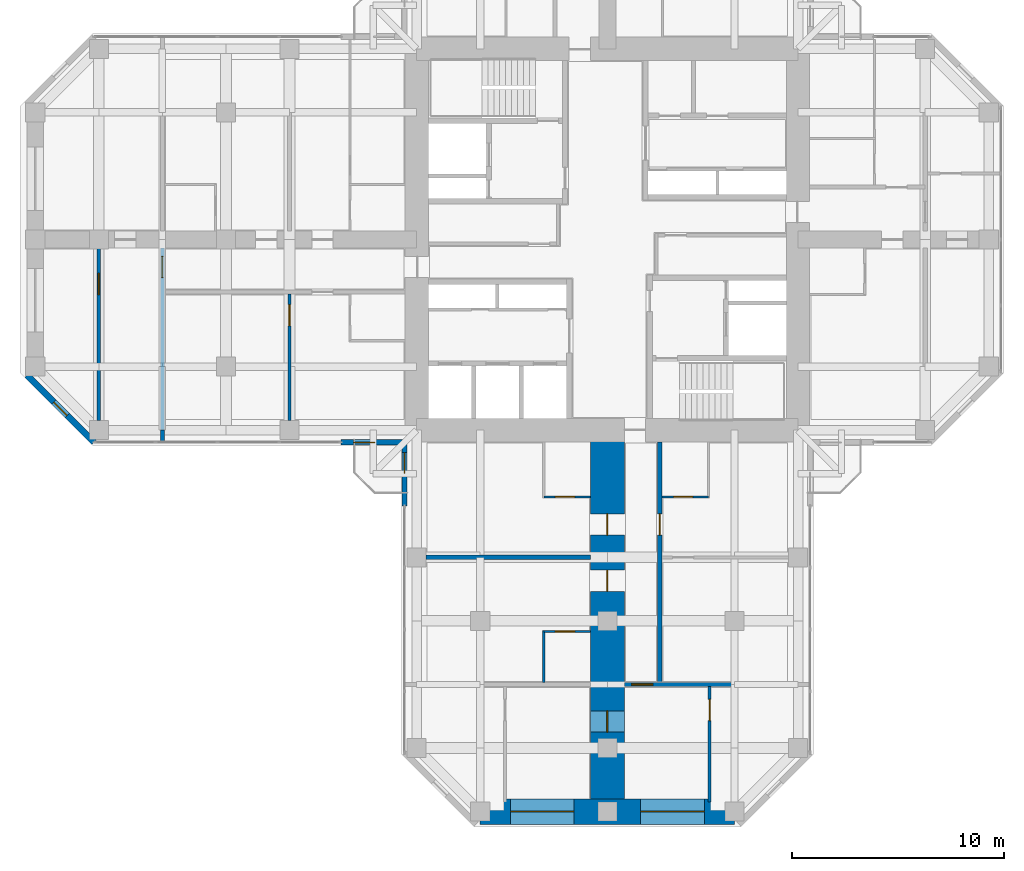
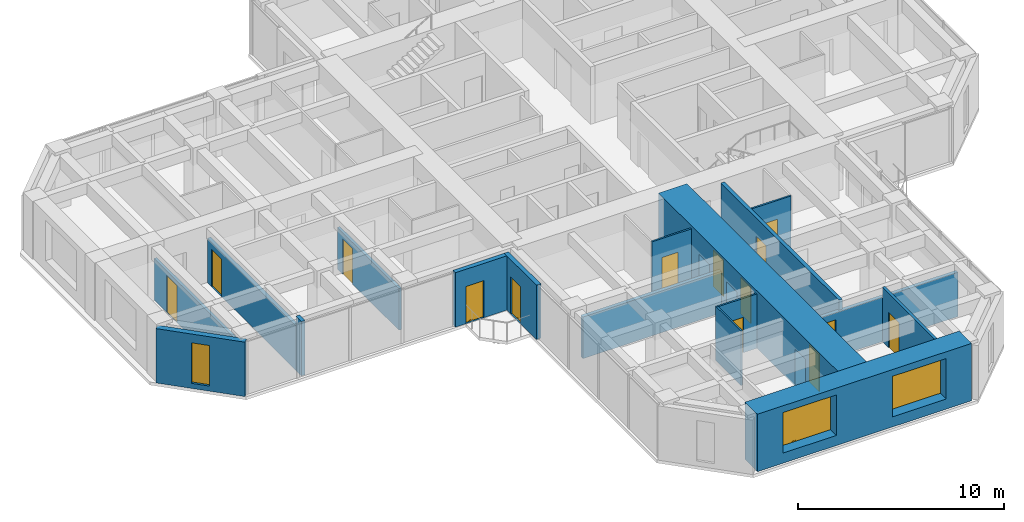
# One storey, part 8 of 14: 17 walls, 14 doors, 3 windows, 17 openings.
"""IFC4 building model written with IfcOpenShell, lengths in metres."""

from ifc_helpers import new_model, si_unit, direction, frame, frame_2d, origin, place, context, subcontext, project, spatial, rectangle, hollow_rectangle, extrude, material, layer, layer_set, constituent, constituent_set, type_object, element, fill, save


model = new_model("IFC4")

# Units and contexts
model_context = context("Model", 3, precision=1e-05, world=origin(), true_north=direction((0.0, 1.0)))
body_context = subcontext(model_context, "Body", "Model", "MODEL_VIEW")
ifc_project = project(units=[si_unit("LENGTHUNIT", "METRE"), si_unit("AREAUNIT", "SQUARE_METRE"), si_unit("VOLUMEUNIT", "CUBIC_METRE"), si_unit("PLANEANGLEUNIT", "RADIAN"), si_unit("MASSUNIT", "GRAM", prefix="KILO")], contexts=[model_context])

# Site, building, storey
site_placement = place(None, origin())
site = spatial("IfcSite", under=ifc_project, at=site_placement, CompositionType="ELEMENT")
building_placement = place(site_placement, origin())
building = spatial("IfcBuilding", under=site, at=building_placement, Name="Torre Cruceta", CompositionType="ELEMENT")
storey_placement = place(building_placement, frame((0.0, 0.0, 203.5)))
storey = spatial("IfcBuildingStorey", under=building, at=storey_placement, Name="L51", CompositionType="ELEMENT", Elevation=203.5)

# Wall, opening, door
ifc_material_1 = material(Name="Water-resistant plasterboard on steel studs", Category="steel")
ifc_layer_1 = layer(ifc_material_1, 0.10009765625)
ifc_layer_set_1 = layer_set([ifc_layer_1], Name="Water-resistant plasterboard on steel studs")
wall_type_1 = type_object("IfcWallType", Name="BATHROOM WALL 100", PredefinedType="PARTITIONING", material=ifc_layer_set_1)
wall_1_placement = place(storey_placement, frame((2.574951171875, -12.14990234375, 0.0), z_axis=(0.0, 0.0, 1.0), x_axis=(1.0, 0.0, 0.0)))
wall_1 = element("IfcWall", 1, at=wall_1_placement, inside=storey, type_object=wall_type_1, Name="PT4 L51-S-U1LBS", PredefinedType="PARTITIONING", context=body_context, shape_type="SweptSolid", body=[
    extrude(rectangle(XDim=2.199951171875, YDim=0.10009765625, at=frame_2d((1.10009765625, 0.0))), origin(), (0.0, 0.0, 1.0), 3.219970703125),
])
opening_1_placement = place(wall_1_placement, frame((0.550048828125, 0.0, 0.0)))
opening_1 = element("IfcOpeningElement", 2, at=opening_1_placement, cuts=wall_1, Name="Opening D7", PredefinedType="OPENING", context=body_context, shape_type="SweptSolid", body=[
    extrude(rectangle(XDim=0.89990234375, YDim=2.10009765625, at=frame_2d((0.449951171875, 1.050048828125))), frame((0.0, 0.06005859375, 0.0), z_axis=(0.0, -1.0, 0.0), x_axis=(1.0, 0.0, 0.0)), (0.0, 0.0, 1.0), 0.1201171875),
])
ifc_material_2 = material(Name="Timber door", Category="wood")
door_type_1 = type_object("IfcDoorType", Name="BATHROOM DOOR 900X2100", OperationType="SINGLE_SWING_LEFT", PredefinedType="DOOR", material=ifc_material_2)
door_1_placement = place(opening_1_placement, origin())
door_1 = element("IfcDoor", 3, at=door_1_placement, inside=storey, type_object=door_type_1, Name="D7 L51-S-U1LBS-D1", OperationType="SINGLE_SWING_LEFT", OverallHeight=2.10009765625, OverallWidth=0.89990234375, PredefinedType="DOOR", context=body_context, shape_type="SweptSolid", body=[
    extrude(rectangle(XDim=0.89990234375, YDim=2.10009765625, at=frame_2d((0.449951171875, 1.050048828125))), frame((0.0, 0.02490234375, 0.0), z_axis=(0.0, -1.0, 0.0), x_axis=(1.0, 0.0, 0.0)), (0.0, 0.0, 1.0), 0.050048828125),
])
fill(opening_1, door_1)

wall_2_placement = place(storey_placement, frame((-3.0, -12.14990234375, 0.0), z_axis=(0.0, 0.0, 1.0), x_axis=(1.0, 0.0, 0.0)))
wall_2 = element("IfcWall", 4, at=wall_2_placement, inside=storey, type_object=wall_type_1, Name="PT4 L51-S-U1RBS", PredefinedType="PARTITIONING", context=body_context, shape_type="SweptSolid", body=[
    extrude(rectangle(XDim=2.199951171875, YDim=0.10009765625, at=frame_2d((1.10009765625, 0.0))), origin(), (0.0, 0.0, 1.0), 3.219970703125),
])
opening_2_placement = place(wall_2_placement, frame((0.550048828125, 0.0, 0.0)))
opening_2 = element("IfcOpeningElement", 5, at=opening_2_placement, cuts=wall_2, Name="Opening D7", PredefinedType="OPENING", context=body_context, shape_type="SweptSolid", body=[
    extrude(rectangle(XDim=0.89990234375, YDim=2.10009765625, at=frame_2d((0.449951171875, 1.050048828125))), frame((0.0, 0.06005859375, 0.0), z_axis=(0.0, -1.0, 0.0), x_axis=(1.0, 0.0, 0.0)), (0.0, 0.0, 1.0), 0.1201171875),
])
door_2_placement = place(opening_2_placement, origin())
door_2 = element("IfcDoor", 6, at=door_2_placement, inside=storey, type_object=door_type_1, Name="D7 L51-S-U1RBS-D1", OperationType="SINGLE_SWING_LEFT", OverallHeight=2.10009765625, OverallWidth=0.89990234375, PredefinedType="DOOR", context=body_context, shape_type="SweptSolid", body=[
    extrude(rectangle(XDim=0.89990234375, YDim=2.10009765625, at=frame_2d((0.449951171875, 1.050048828125))), frame((0.0, 0.02490234375, 0.0), z_axis=(0.0, -1.0, 0.0), x_axis=(1.0, 0.0, 0.0)), (0.0, 0.0, 1.0), 0.050048828125),
])
fill(opening_2, door_2)

# Wall
wall_3_placement = place(storey_placement, frame((-3.0, -18.449951171875, 0.0), z_axis=(0.0, 0.0, 1.0), x_axis=(0.0, -1.0, 0.0)))
element("IfcWall", 7, at=wall_3_placement, inside=storey, type_object=wall_type_1, Name="PT4 L51-S-U2RBB", PredefinedType="PARTITIONING", context=body_context, shape_type="SweptSolid", body=[
    extrude(rectangle(XDim=2.449951171875, YDim=0.10009765625, at=frame_2d((1.22509765625, 0.0))), origin(), (0.0, 0.0, 1.0), 3.219970703125),
])

# Wall, opening, door
wall_4_placement = place(storey_placement, frame((-3.0, -18.5, 0.0), z_axis=(0.0, 0.0, 1.0), x_axis=(1.0, 0.0, 0.0)))
wall_4 = element("IfcWall", 8, at=wall_4_placement, inside=storey, type_object=wall_type_1, Name="PT4 L51-S-U2RBS", PredefinedType="PARTITIONING", context=body_context, shape_type="SweptSolid", body=[
    extrude(rectangle(XDim=2.199951171875, YDim=0.10009765625, at=frame_2d((1.10009765625, 0.0))), origin(), (0.0, 0.0, 1.0), 3.219970703125),
])
opening_3_placement = place(wall_4_placement, frame((0.550048828125, 0.0, 0.0)))
opening_3 = element("IfcOpeningElement", 9, at=opening_3_placement, cuts=wall_4, Name="Opening D7", PredefinedType="OPENING", context=body_context, shape_type="SweptSolid", body=[
    extrude(rectangle(XDim=0.89990234375, YDim=2.10009765625, at=frame_2d((0.449951171875, 1.050048828125))), frame((0.0, 0.06005859375, 0.0), z_axis=(0.0, -1.0, 0.0), x_axis=(1.0, 0.0, 0.0)), (0.0, 0.0, 1.0), 0.1201171875),
])
door_3_placement = place(opening_3_placement, frame((0.89990234375, 0.0, 0.0), z_axis=(0.0, 0.0, 1.0), x_axis=(-1.0, 0.0, 0.0)))
door_3 = element("IfcDoor", 10, at=door_3_placement, inside=storey, type_object=door_type_1, Name="D7 L51-S-U2RBS-D1", OperationType="SINGLE_SWING_RIGHT", OverallHeight=2.10009765625, OverallWidth=0.89990234375, PredefinedType="DOOR", context=body_context, shape_type="SweptSolid", body=[
    extrude(rectangle(XDim=0.89990234375, YDim=2.10009765625, at=frame_2d((0.449951171875, 1.050048828125))), frame((0.0, 0.025146484375, 0.0), z_axis=(0.0, -1.0, 0.0), x_axis=(1.0, 0.0, 0.0)), (0.0, 0.0, 1.0), 0.050048828125),
])
fill(opening_3, door_3)

ifc_material_3 = material(Name="Concrete G25 (fck 25 MPa)", Category="concrete")
ifc_layer_2 = layer(ifc_material_3, 0.199951171875)
ifc_layer_set_2 = layer_set([ifc_layer_2], Name="Concrete G25 (fck 25 MPa)")
wall_type_2 = type_object("IfcWallType", Name="CORRIDOR WALL 200", PredefinedType="SOLIDWALL", material=ifc_layer_set_2)
wall_5_placement = place(storey_placement, frame((2.47509765625, -9.550048828125, 0.0), z_axis=(0.0, 0.0, 1.0), x_axis=(0.0, -1.0, 0.0)))
wall_5 = element("IfcWall", 11, at=wall_5_placement, inside=storey, type_object=wall_type_2, Name="PT3 L51-S-CL", PredefinedType="SOLIDWALL", context=body_context, shape_type="SweptSolid", body=[
    extrude(rectangle(XDim=11.449951171875, YDim=0.199951171875, at=frame_2d((5.72509765625, 0.0))), origin(), (0.0, 0.0, 1.0), 3.219970703125),
])
opening_4_placement = place(wall_5_placement, frame((3.39990234375, 0.0, 0.0)))
opening_4 = element("IfcOpeningElement", 12, at=opening_4_placement, cuts=wall_5, Name="Opening D6", PredefinedType="OPENING", context=body_context, shape_type="SweptSolid", body=[
    extrude(rectangle(XDim=1.0, YDim=2.14990234375, at=frame_2d((0.5, 1.074951171875))), frame((0.0, 0.10986328125, 0.0), z_axis=(0.0, -1.0, 0.0), x_axis=(1.0, 0.0, 0.0)), (0.0, 0.0, 1.0), 0.219970703125),
])
ifc_material_4 = material(Name="Timber fire door", Category="wood")
door_type_2 = type_object("IfcDoorType", Name="UNIT ENTRANCE DOOR 1000X2150", OperationType="SINGLE_SWING_LEFT", PredefinedType="DOOR", material=ifc_material_4)
door_4_placement = place(opening_4_placement, origin())
door_4 = element("IfcDoor", 13, at=door_4_placement, inside=storey, type_object=door_type_2, Name="D6 L51-S-CL-D1", OperationType="SINGLE_SWING_LEFT", OverallHeight=2.14990234375, OverallWidth=1.0, PredefinedType="DOOR", context=body_context, shape_type="SweptSolid", body=[
    extrude(rectangle(XDim=1.0, YDim=2.14990234375, at=frame_2d((0.5, 1.074951171875))), frame((0.0, 0.02490234375, 0.0), z_axis=(0.0, -1.0, 0.0), x_axis=(1.0, 0.0, 0.0)), (0.0, 0.0, 1.0), 0.050048828125),
])
fill(opening_4, door_4)

# Wall, opening, window
ifc_material_5 = material(Name="Concrete G30 (fck 30 MPa)", Category="concrete")
ifc_layer_3 = layer(ifc_material_5, 0.300048828125)
ifc_layer_set_3 = layer_set([ifc_layer_3], Name="Concrete G30 (fck 30 MPa)")
wall_type_3 = type_object("IfcWallType", Name="EXPOSED CONCRETE FACADE WALL 300", PredefinedType="SOLIDWALL", material=ifc_layer_set_3)
wall_6_placement = place(storey_placement, frame((-27.39990234375, -6.406005859375, 0.0), z_axis=(0.0, 0.0, 1.0), x_axis=(0.707079499254, -0.707134062067, 0.0)))
wall_6 = element("IfcWall", 14, at=wall_6_placement, inside=storey, type_object=wall_type_3, Name="EW1 facade wall L51 W chamfer 13", PredefinedType="SOLIDWALL", context=body_context, shape_type="SweptSolid", body=[
    extrude(rectangle(XDim=4.474609375, YDim=0.300048828125, at=frame_2d((2.2373046875, 0.0))), origin(), (0.0, 0.0, 1.0), 3.219970703125),
])
opening_5_placement = place(wall_6_placement, frame((1.787109375, 0.0, 0.300048828125)))
opening_5 = element("IfcOpeningElement", 15, at=opening_5_placement, cuts=wall_6, Name="Opening WN5", PredefinedType="OPENING", context=body_context, shape_type="SweptSolid", body=[
    extrude(rectangle(XDim=0.89990234375, YDim=2.39990234375, at=frame_2d((0.449951171875, 1.199951171875))), frame((0.0, 0.159912109375, 0.0), z_axis=(0.0, -1.0, 0.0), x_axis=(1.0, 0.0, 0.0)), (0.0, 0.0, 1.0), 0.320068359375),
])
ifc_material_6 = material(Name="Aluminium window frame", Category="aluminium")
ifc_constituent_1 = constituent(ifc_material_6, Name="Frame")
ifc_material_7 = material(Name="Laminated insulating glass unit, low-iron clear", Category="glass")
ifc_constituent_2 = constituent(ifc_material_7, Name="Glazing")
ifc_constituent_set_1 = constituent_set(constituents=[ifc_constituent_1, ifc_constituent_2], Name="Aluminium window")
window_type_1 = type_object("IfcWindowType", Name="CHAMFER SLOT WINDOW 900X2400", PartitioningType="SINGLE_PANEL", PredefinedType="WINDOW", material=ifc_constituent_set_1)
window_1_placement = place(opening_5_placement, origin())
window_1 = element("IfcWindow", 16, at=window_1_placement, inside=storey, type_object=window_type_1, Name="WN5 L51 W 1", OverallHeight=2.39990234375, OverallWidth=0.89990234375, PartitioningType="SINGLE_PANEL", PredefinedType="WINDOW", context=body_context, shape_type="SweptSolid", body=[
    extrude(hollow_rectangle(XDim=0.89990234375, YDim=2.39990234375, WallThickness=0.06005859375, at=frame_2d((0.449951171875, 1.199951171875))), frame((0.0, 0.030029296875, 0.0), z_axis=(0.0, -1.0, 0.0), x_axis=(1.0, 0.0, 0.0)), (0.0, 0.0, 1.0), 0.06005859375),
    extrude(rectangle(XDim=0.77880859375, YDim=2.27880859375, at=frame_2d((0.449951171875, 1.199951171875))), frame((0.0, 0.030029296875, 0.0), z_axis=(0.0, -1.0, 0.0), x_axis=(1.0, 0.0, 0.0)), (0.0, 0.0, 1.0), 0.06005859375),
])
fill(opening_5, window_1)

# Wall, openings, windows
ifc_material_8 = material(Name="Concrete G60 (fck 60 MPa)", Category="concrete")
ifc_layer_4 = layer(ifc_material_8, 1.199951171875)
ifc_layer_set_4 = layer_set([ifc_layer_4], Name="Concrete G60 (fck 60 MPa)")
wall_type_4 = type_object("IfcWallType", Name="NOSE WALL 1200 G60", PredefinedType="SHEAR", material=ifc_layer_set_4)
wall_7_placement = place(storey_placement, frame((-6.0, -27.0, 0.0), z_axis=(0.0, 0.0, 1.0), x_axis=(1.0, 0.0, 0.0)))
wall_7 = element("IfcWall", 17, at=wall_7_placement, inside=storey, type_object=wall_type_4, Name="NW1 nose wall L51 S", PredefinedType="SHEAR", context=body_context, shape_type="SweptSolid", body=[
    extrude(rectangle(XDim=12.0, YDim=1.199951171875, at=frame_2d((6.0, 0.0))), origin(), (0.0, 0.0, 1.0), 3.39990234375),
])
opening_6_placement = place(wall_7_placement, frame((1.425048828125, 0.0, 0.60009765625)))
opening_6 = element("IfcOpeningElement", 18, at=opening_6_placement, cuts=wall_7, Name="Opening WN6", PredefinedType="OPENING", context=body_context, shape_type="SweptSolid", body=[
    extrude(rectangle(XDim=3.0, YDim=2.39990234375, at=frame_2d((1.5, 1.199951171875))), frame((0.0, 0.60986328125, 0.0), z_axis=(0.0, -1.0, 0.0), x_axis=(1.0, 0.0, 0.0)), (0.0, 0.0, 1.0), 1.219970703125),
])
opening_7_placement = place(wall_7_placement, frame((7.574951171875, 0.0, 0.60009765625)))
opening_7 = element("IfcOpeningElement", 19, at=opening_7_placement, cuts=wall_7, Name="Opening WN6", PredefinedType="OPENING", context=body_context, shape_type="SweptSolid", body=[
    extrude(rectangle(XDim=3.0, YDim=2.39990234375, at=frame_2d((1.5, 1.199951171875))), frame((0.0, 0.60986328125, 0.0), z_axis=(0.0, -1.0, 0.0), x_axis=(1.0, 0.0, 0.0)), (0.0, 0.0, 1.0), 1.219970703125),
])
ifc_material_9 = material(Name="Aluminium window frame", Category="aluminium")
ifc_constituent_3 = constituent(ifc_material_9, Name="Frame")
ifc_material_10 = material(Name="Laminated insulating glass unit, low-iron clear", Category="glass")
ifc_constituent_4 = constituent(ifc_material_10, Name="Glazing")
ifc_constituent_set_2 = constituent_set(constituents=[ifc_constituent_3, ifc_constituent_4], Name="Aluminium window")
window_type_2 = type_object("IfcWindowType", Name="NOSE WALL WINDOW 3000X2400", PartitioningType="SINGLE_PANEL", PredefinedType="WINDOW", material=ifc_constituent_set_2)
window_2_placement = place(opening_6_placement, origin())
window_2 = element("IfcWindow", 20, at=window_2_placement, inside=storey, type_object=window_type_2, Name="WN6 L51 S 1", OverallHeight=2.39990234375, OverallWidth=3.0, PartitioningType="SINGLE_PANEL", PredefinedType="WINDOW", context=body_context, shape_type="SweptSolid", body=[
    extrude(hollow_rectangle(XDim=3.0, YDim=2.39990234375, WallThickness=0.06005859375, at=frame_2d((1.5, 1.199951171875))), frame((0.0, 0.030029296875, 0.0), z_axis=(0.0, -1.0, 0.0), x_axis=(1.0, 0.0, 0.0)), (0.0, 0.0, 1.0), 0.06005859375),
    extrude(rectangle(XDim=2.87890625, YDim=2.27880859375, at=frame_2d((1.5, 1.199951171875))), frame((0.0, 0.030029296875, 0.0), z_axis=(0.0, -1.0, 0.0), x_axis=(1.0, 0.0, 0.0)), (0.0, 0.0, 1.0), 0.06005859375),
])
fill(opening_6, window_2)
window_3_placement = place(opening_7_placement, origin())
window_3 = element("IfcWindow", 21, at=window_3_placement, inside=storey, type_object=window_type_2, Name="WN6 L51 S 2", OverallHeight=2.39990234375, OverallWidth=3.0, PartitioningType="SINGLE_PANEL", PredefinedType="WINDOW", context=body_context, shape_type="SweptSolid", body=[
    extrude(hollow_rectangle(XDim=3.0, YDim=2.39990234375, WallThickness=0.06005859375, at=frame_2d((1.5, 1.199951171875))), frame((0.0, 0.030029296875, 0.0), z_axis=(0.0, -1.0, 0.0), x_axis=(1.0, 0.0, 0.0)), (0.0, 0.0, 1.0), 0.06005859375),
    extrude(rectangle(XDim=2.87890625, YDim=2.27880859375, at=frame_2d((1.5, 1.199951171875))), frame((0.0, 0.030029296875, 0.0), z_axis=(0.0, -1.0, 0.0), x_axis=(1.0, 0.0, 0.0)), (0.0, 0.0, 1.0), 0.06005859375),
])
fill(opening_7, window_3)

# Wall, opening, door
ifc_material_11 = material(Name="Plasterboard on steel studs", Category="steel")
ifc_layer_5 = layer(ifc_material_11, 0.14990234375)
ifc_layer_set_5 = layer_set([ifc_layer_5], Name="Plasterboard on steel studs")
wall_type_5 = type_object("IfcWallType", Name="PARTITION 150", PredefinedType="PARTITIONING", material=ifc_layer_set_5)
wall_8_placement = place(storey_placement, frame((4.824951171875, -21.10009765625, 0.0), z_axis=(0.0, 0.0, 1.0), x_axis=(0.0, -1.0, 0.0)))
wall_8 = element("IfcWall", 22, at=wall_8_placement, inside=storey, type_object=wall_type_5, Name="PT1 L51-S-ENDX", PredefinedType="PARTITIONING", context=body_context, shape_type="SweptSolid", body=[
    extrude(rectangle(XDim=5.449951171875, YDim=0.14990234375, at=frame_2d((2.72509765625, 0.0))), origin(), (0.0, 0.0, 1.0), 3.219970703125),
])
opening_8_placement = place(wall_8_placement, frame((0.60009765625, 0.0, 0.0)))
opening_8 = element("IfcOpeningElement", 23, at=opening_8_placement, cuts=wall_8, Name="Opening D3", PredefinedType="OPENING", context=body_context, shape_type="SweptSolid", body=[
    extrude(rectangle(XDim=1.0, YDim=2.10009765625, at=frame_2d((0.5, 1.050048828125))), frame((0.0, 0.0849609375, 0.0), z_axis=(0.0, -1.0, 0.0), x_axis=(1.0, 0.0, 0.0)), (0.0, 0.0, 1.0), 0.169921875),
])
ifc_material_12 = material(Name="Steel DX51D", Category="steel")
ifc_constituent_5 = constituent(ifc_material_12, Name="Leaf and frame")
ifc_material_13 = material(Name="Polyester powder coating", Category="paint")
ifc_constituent_6 = constituent(ifc_material_13, Name="Finish")
ifc_constituent_set_3 = constituent_set(constituents=[ifc_constituent_5, ifc_constituent_6], Name="Steel fire door")
door_type_3 = type_object("IfcDoorType", Name="FIRE DOOR 1000X2100", OperationType="SINGLE_SWING_LEFT", PredefinedType="DOOR", material=ifc_constituent_set_3)
door_5_placement = place(opening_8_placement, origin())
door_5 = element("IfcDoor", 24, at=door_5_placement, inside=storey, type_object=door_type_3, Name="D3 L51-S-ENDX-D1", OperationType="SINGLE_SWING_LEFT", OverallHeight=2.10009765625, OverallWidth=1.0, PredefinedType="DOOR", context=body_context, shape_type="SweptSolid", body=[
    extrude(rectangle(XDim=1.0, YDim=2.10009765625, at=frame_2d((0.5, 1.050048828125))), frame((0.0, 0.02490234375, 0.0), z_axis=(0.0, -1.0, 0.0), x_axis=(1.0, 0.0, 0.0)), (0.0, 0.0, 1.0), 0.050048828125),
])
fill(opening_8, door_5)

wall_9_placement = place(storey_placement, frame((-15.0, -2.574951171875, 0.0), z_axis=(0.0, 0.0, 1.0), x_axis=(0.0, -1.0, 0.0)))
wall_9 = element("IfcWall", 25, at=wall_9_placement, inside=storey, type_object=wall_type_5, Name="PT1 L51-W-P1L", PredefinedType="PARTITIONING", context=body_context, shape_type="SweptSolid", body=[
    extrude(rectangle(XDim=5.97509765625, YDim=0.14990234375, at=frame_2d((2.987548828125, 0.0))), origin(), (0.0, 0.0, 1.0), 2.469970703125),
])
opening_9_placement = place(wall_9_placement, frame((0.5, 0.0, 0.0)))
opening_9 = element("IfcOpeningElement", 26, at=opening_9_placement, cuts=wall_9, Name="Opening D3", PredefinedType="OPENING", context=body_context, shape_type="SweptSolid", body=[
    extrude(rectangle(XDim=1.0, YDim=2.10009765625, at=frame_2d((0.5, 1.050048828125))), frame((0.0, 0.0849609375, 0.0), z_axis=(0.0, -1.0, 0.0), x_axis=(1.0, 0.0, 0.0)), (0.0, 0.0, 1.0), 0.169921875),
])
door_6_placement = place(opening_9_placement, origin())
door_6 = element("IfcDoor", 27, at=door_6_placement, inside=storey, type_object=door_type_3, Name="D3 L51-W-P1L-D1", OperationType="SINGLE_SWING_LEFT", OverallHeight=2.10009765625, OverallWidth=1.0, PredefinedType="DOOR", context=body_context, shape_type="SweptSolid", body=[
    extrude(rectangle(XDim=1.0, YDim=2.10009765625, at=frame_2d((0.5, 1.050048828125))), frame((0.0, 0.02490234375, 0.0), z_axis=(0.0, -1.0, 0.0), x_axis=(1.0, 0.0, 0.0)), (0.0, 0.0, 1.0), 0.050048828125),
])
fill(opening_9, door_6)

wall_10_placement = place(storey_placement, frame((-24.0, -0.39990234375, 0.0), z_axis=(0.0, 0.0, 1.0), x_axis=(0.0, -1.0, 0.0)))
wall_10 = element("IfcWall", 28, at=wall_10_placement, inside=storey, type_object=wall_type_5, Name="PT1 L51-W-ENDX", PredefinedType="PARTITIONING", context=body_context, shape_type="SweptSolid", body=[
    extrude(rectangle(XDim=8.150146484375, YDim=0.14990234375, at=frame_2d((4.0751953125, 0.0))), origin(), (0.0, 0.0, 1.0), 2.469970703125),
])
opening_10_placement = place(wall_10_placement, frame((1.199951171875, 0.0, 0.0)))
opening_10 = element("IfcOpeningElement", 29, at=opening_10_placement, cuts=wall_10, Name="Opening D14", PredefinedType="OPENING", context=body_context, shape_type="SweptSolid", body=[
    extrude(rectangle(XDim=1.0, YDim=2.199951171875, at=frame_2d((0.5, 1.10009765625))), frame((0.0, 0.0849609375, 0.0), z_axis=(0.0, -1.0, 0.0), x_axis=(1.0, 0.0, 0.0)), (0.0, 0.0, 1.0), 0.169921875),
])
ifc_material_14 = material(Name="Steel DX51D", Category="steel")
ifc_constituent_7 = constituent(ifc_material_14, Name="Leaf and frame")
ifc_material_15 = material(Name="Polyester powder coating", Category="paint")
ifc_constituent_8 = constituent(ifc_material_15, Name="Finish")
ifc_material_16 = material(Name="Fire-resisting glass", Category="glass")
ifc_constituent_9 = constituent(ifc_material_16, Name="Vision panel")
ifc_constituent_set_4 = constituent_set(constituents=[ifc_constituent_7, ifc_constituent_8, ifc_constituent_9], Name="Steel fire door with vision panel")
door_type_4 = type_object("IfcDoorType", Name="FIRE DOOR VISION PANEL 1000X2200", OperationType="SINGLE_SWING_RIGHT", PredefinedType="DOOR", material=ifc_constituent_set_4)
door_7_placement = place(opening_10_placement, frame((1.0, 0.0, 0.0), z_axis=(0.0, 0.0, 1.0), x_axis=(-1.0, 0.0, 0.0)))
door_7 = element("IfcDoor", 30, at=door_7_placement, inside=storey, type_object=door_type_4, Name="D14 L51-W-ENDX-D1", OperationType="SINGLE_SWING_RIGHT", OverallHeight=2.199951171875, OverallWidth=1.0, PredefinedType="DOOR", context=body_context, shape_type="SweptSolid", body=[
    extrude(rectangle(XDim=1.0, YDim=2.199951171875, at=frame_2d((0.5, 1.10009765625))), frame((0.0, 0.025146484375, 0.0), z_axis=(0.0, -1.0, 0.0), x_axis=(1.0, 0.0, 0.0)), (0.0, 0.0, 1.0), 0.050048828125),
])
fill(opening_10, door_7)

# Wall, openings, doors
ifc_material_17 = material(Name="Concrete G60 (fck 60 MPa)", Category="concrete")
ifc_layer_6 = layer(ifc_material_17, 1.60009765625)
ifc_layer_set_6 = layer_set([ifc_layer_6], Name="Concrete G60 (fck 60 MPa)")
wall_type_6 = type_object("IfcWallType", Name="SPINE WALL 1600 G60", PredefinedType="SHEAR", material=ifc_layer_set_6)
wall_11_placement = place(storey_placement, frame((0.0, -9.0, 0.0), z_axis=(0.0, 0.0, 1.0), x_axis=(0.0, -1.0, 0.0)))
wall_11 = element("IfcWall", 31, at=wall_11_placement, inside=storey, type_object=wall_type_6, Name="SW2 spine wall L51 S", PredefinedType="SHEAR", context=body_context, shape_type="SweptSolid", body=[
    extrude(rectangle(XDim=18.0, YDim=1.60009765625, at=frame_2d((9.0, 0.0))), origin(), (0.0, 0.0, 1.0), 3.39990234375),
])
opening_11_placement = place(wall_11_placement, frame((3.949951171875, 0.0, 0.0)))
opening_11 = element("IfcOpeningElement", 32, at=opening_11_placement, cuts=wall_11, Name="Opening D6", PredefinedType="OPENING", context=body_context, shape_type="SweptSolid", body=[
    extrude(rectangle(XDim=1.0, YDim=2.14990234375, at=frame_2d((0.5, 1.074951171875))), frame((0.0, 0.81005859375, 0.0), z_axis=(0.0, -1.0, 0.0), x_axis=(1.0, 0.0, 0.0)), (0.0, 0.0, 1.0), 1.6201171875),
])
opening_12_placement = place(wall_11_placement, frame((6.60009765625, 0.0, 0.0)))
opening_12 = element("IfcOpeningElement", 33, at=opening_12_placement, cuts=wall_11, Name="Opening D6", PredefinedType="OPENING", context=body_context, shape_type="SweptSolid", body=[
    extrude(rectangle(XDim=1.0, YDim=2.14990234375, at=frame_2d((0.5, 1.074951171875))), frame((0.0, 0.81005859375, 0.0), z_axis=(0.0, -1.0, 0.0), x_axis=(1.0, 0.0, 0.0)), (0.0, 0.0, 1.0), 1.6201171875),
])
opening_13_placement = place(wall_11_placement, frame((13.25, 0.0, 0.0)))
opening_13 = element("IfcOpeningElement", 34, at=opening_13_placement, cuts=wall_11, Name="Opening D14", PredefinedType="OPENING", context=body_context, shape_type="SweptSolid", body=[
    extrude(rectangle(XDim=1.0, YDim=2.199951171875, at=frame_2d((0.5, 1.10009765625))), frame((0.0, 0.81005859375, 0.0), z_axis=(0.0, -1.0, 0.0), x_axis=(1.0, 0.0, 0.0)), (0.0, 0.0, 1.0), 1.6201171875),
])
door_8_placement = place(opening_13_placement, origin())
door_8 = element("IfcDoor", 35, at=door_8_placement, inside=storey, type_object=door_type_4, Name="D14 L51-S-SP3", OperationType="SINGLE_SWING_LEFT", OverallHeight=2.199951171875, OverallWidth=1.0, PredefinedType="DOOR", context=body_context, shape_type="SweptSolid", body=[
    extrude(rectangle(XDim=1.0, YDim=2.199951171875, at=frame_2d((0.5, 1.10009765625))), frame((0.0, 0.02490234375, 0.0), z_axis=(0.0, -1.0, 0.0), x_axis=(1.0, 0.0, 0.0)), (0.0, 0.0, 1.0), 0.050048828125),
])
fill(opening_13, door_8)
door_9_placement = place(opening_11_placement, frame((1.0, 0.0, 0.0), z_axis=(0.0, 0.0, 1.0), x_axis=(-1.0, 0.0, 0.0)))
door_9 = element("IfcDoor", 36, at=door_9_placement, inside=storey, type_object=door_type_2, Name="D6 L51-S-SP1", OperationType="SINGLE_SWING_RIGHT", OverallHeight=2.14990234375, OverallWidth=1.0, PredefinedType="DOOR", context=body_context, shape_type="SweptSolid", body=[
    extrude(rectangle(XDim=1.0, YDim=2.14990234375, at=frame_2d((0.5, 1.074951171875))), frame((0.0, 0.025146484375, 0.0), z_axis=(0.0, -1.0, 0.0), x_axis=(1.0, 0.0, 0.0)), (0.0, 0.0, 1.0), 0.050048828125),
])
fill(opening_11, door_9)
door_10_placement = place(opening_12_placement, frame((1.0, 0.0, 0.0), z_axis=(0.0, 0.0, 1.0), x_axis=(-1.0, 0.0, 0.0)))
door_10 = element("IfcDoor", 37, at=door_10_placement, inside=storey, type_object=door_type_2, Name="D6 L51-S-SP2", OperationType="SINGLE_SWING_RIGHT", OverallHeight=2.14990234375, OverallWidth=1.0, PredefinedType="DOOR", context=body_context, shape_type="SweptSolid", body=[
    extrude(rectangle(XDim=1.0, YDim=2.14990234375, at=frame_2d((0.5, 1.074951171875))), frame((0.0, 0.025146484375, 0.0), z_axis=(0.0, -1.0, 0.0), x_axis=(1.0, 0.0, 0.0)), (0.0, 0.0, 1.0), 0.050048828125),
])
fill(opening_12, door_10)

# Wall
ifc_material_18 = material(Name="Concrete G25 (fck 25 MPa)", Category="concrete")
ifc_layer_7 = layer(ifc_material_18, 0.199951171875)
ifc_layer_set_7 = layer_set([ifc_layer_7], Name="Concrete G25 (fck 25 MPa)")
wall_type_7 = type_object("IfcWallType", Name="UNIT SEPARATING WALL 200", PredefinedType="SOLIDWALL", material=ifc_layer_set_7)
wall_12_placement = place(storey_placement, frame((-8.550048828125, -15.0, 0.0), z_axis=(0.0, 0.0, 1.0), x_axis=(1.0, 0.0, 0.0)))
element("IfcWall", 38, at=wall_12_placement, inside=storey, type_object=wall_type_7, Name="PT2 L51-S-P1R", PredefinedType="SOLIDWALL", context=body_context, shape_type="SweptSolid", body=[
    extrude(rectangle(XDim=7.75, YDim=0.199951171875, at=frame_2d((3.875, 0.0))), origin(), (0.0, 0.0, 1.0), 2.469970703125),
])

# Wall, opening, door
wall_13_placement = place(storey_placement, frame((0.800048828125, -21.0, 0.0), z_axis=(0.0, 0.0, 1.0), x_axis=(1.0, 0.0, 0.0)))
wall_13 = element("IfcWall", 39, at=wall_13_placement, inside=storey, type_object=wall_type_7, Name="PT2 L51-S-ENDb", PredefinedType="SOLIDWALL", context=body_context, shape_type="SweptSolid", body=[
    extrude(rectangle(XDim=8.199951171875, YDim=0.199951171875, at=frame_2d((4.10009765625, 0.0))), origin(), (0.0, 0.0, 1.0), 2.6201171875),
])
opening_14_placement = place(wall_13_placement, frame((0.35009765625, 0.0, 0.0)))
opening_14 = element("IfcOpeningElement", 40, at=opening_14_placement, cuts=wall_13, Name="Opening D14", PredefinedType="OPENING", context=body_context, shape_type="SweptSolid", body=[
    extrude(rectangle(XDim=1.0, YDim=2.199951171875, at=frame_2d((0.5, 1.10009765625))), frame((0.0, 0.10986328125, 0.0), z_axis=(0.0, -1.0, 0.0), x_axis=(1.0, 0.0, 0.0)), (0.0, 0.0, 1.0), 0.219970703125),
])
door_11_placement = place(opening_14_placement, frame((1.0, 0.0, 0.0), z_axis=(0.0, 0.0, 1.0), x_axis=(-1.0, 0.0, 0.0)))
door_11 = element("IfcDoor", 41, at=door_11_placement, inside=storey, type_object=door_type_4, Name="D14 L51-S-ENDb-D1", OperationType="SINGLE_SWING_RIGHT", OverallHeight=2.199951171875, OverallWidth=1.0, PredefinedType="DOOR", context=body_context, shape_type="SweptSolid", body=[
    extrude(rectangle(XDim=1.0, YDim=2.199951171875, at=frame_2d((0.5, 1.10009765625))), frame((0.0, 0.025146484375, 0.0), z_axis=(0.0, -1.0, 0.0), x_axis=(1.0, 0.0, 0.0)), (0.0, 0.0, 1.0), 0.050048828125),
])
fill(opening_14, door_11)

wall_14_placement = place(storey_placement, frame((-21.0, -0.39990234375, 0.0), z_axis=(0.0, 0.0, 1.0), x_axis=(0.0, -1.0, 0.0)))
wall_14 = element("IfcWall", 42, at=wall_14_placement, inside=storey, type_object=wall_type_7, Name="PT2 L51-W-ENDb", PredefinedType="SOLIDWALL", context=body_context, shape_type="SweptSolid", body=[
    extrude(rectangle(XDim=8.60009765625, YDim=0.199951171875, at=frame_2d((4.300048828125, 0.0))), origin(), (0.0, 0.0, 1.0), 2.6201171875),
])
opening_15_placement = place(wall_14_placement, frame((0.39990234375, 0.0, 0.0)))
opening_15 = element("IfcOpeningElement", 43, at=opening_15_placement, cuts=wall_14, Name="Opening D14", PredefinedType="OPENING", context=body_context, shape_type="SweptSolid", body=[
    extrude(rectangle(XDim=1.0, YDim=2.199951171875, at=frame_2d((0.5, 1.10009765625))), frame((0.0, 0.10986328125, 0.0), z_axis=(0.0, -1.0, 0.0), x_axis=(1.0, 0.0, 0.0)), (0.0, 0.0, 1.0), 0.219970703125),
])
door_12_placement = place(opening_15_placement, frame((1.0, 0.0, 0.0), z_axis=(0.0, 0.0, 1.0), x_axis=(-1.0, 0.0, 0.0)))
door_12 = element("IfcDoor", 44, at=door_12_placement, inside=storey, type_object=door_type_4, Name="D14 L51-W-ENDb-D1", OperationType="SINGLE_SWING_RIGHT", OverallHeight=2.199951171875, OverallWidth=1.0, PredefinedType="DOOR", context=body_context, shape_type="SweptSolid", body=[
    extrude(rectangle(XDim=1.0, YDim=2.199951171875, at=frame_2d((0.5, 1.10009765625))), frame((0.0, 0.025146484375, 0.0), z_axis=(0.0, -1.0, 0.0), x_axis=(1.0, 0.0, 0.0)), (0.0, 0.0, 1.0), 0.050048828125),
])
fill(opening_15, door_12)

# Wall
wall_15_placement = place(storey_placement, frame((-21.0, -9.0, 0.0), z_axis=(0.0, 0.0, 1.0), x_axis=(0.0, -1.0, 0.0)))
element("IfcWall", 45, at=wall_15_placement, inside=storey, type_object=wall_type_7, Name="PT2 L51-W-ENDb 2", PredefinedType="SOLIDWALL", context=body_context, shape_type="SweptSolid", body=[
    extrude(rectangle(XDim=0.530029296875, YDim=0.199951171875, at=frame_2d((0.26513671875, 0.0))), origin(), (0.0, 0.0, 1.0), 3.219970703125),
])

# Wall, opening, door
ifc_material_19 = material(Name="Concrete G30 (fck 30 MPa)", Category="concrete")
ifc_layer_8 = layer(ifc_material_19, 0.25)
ifc_layer_set_8 = layer_set([ifc_layer_8], Name="Concrete G30 (fck 30 MPa)")
wall_type_8 = type_object("IfcWallType", Name="WINTER GARDEN WALL 250", PredefinedType="SOLIDWALL", material=ifc_layer_set_8)
wall_16_placement = place(storey_placement, frame((-12.570068359375, -9.570068359375, 0.0), z_axis=(0.0, 0.0, 1.0), x_axis=(1.0, 0.0, 0.0)))
wall_16 = element("IfcWall", 46, at=wall_16_placement, inside=storey, type_object=wall_type_8, Name="EW2 winter garden wall L51 14", PredefinedType="SOLIDWALL", context=body_context, shape_type="SweptSolid", body=[
    extrude(rectangle(XDim=2.875, YDim=0.25, at=frame_2d((1.4375, 0.0))), origin(), (0.0, 0.0, 1.0), 3.219970703125),
])
opening_16_placement = place(wall_16_placement, frame((0.60009765625, 0.0, 0.0)))
opening_16 = element("IfcOpeningElement", 47, at=opening_16_placement, cuts=wall_16, Name="Opening D10", PredefinedType="OPENING", context=body_context, shape_type="SweptSolid", body=[
    extrude(rectangle(XDim=1.0, YDim=2.199951171875, at=frame_2d((0.5, 1.10009765625))), frame((0.0, 0.135009765625, 0.0), z_axis=(0.0, -1.0, 0.0), x_axis=(1.0, 0.0, 0.0)), (0.0, 0.0, 1.0), 0.27001953125),
])
ifc_material_20 = material(Name="Aluminium door frame", Category="aluminium")
ifc_constituent_10 = constituent(ifc_material_20, Name="Frame")
ifc_material_21 = material(Name="Laminated safety glass", Category="glass")
ifc_constituent_11 = constituent(ifc_material_21, Name="Glazing")
ifc_constituent_set_5 = constituent_set(constituents=[ifc_constituent_10, ifc_constituent_11], Name="Aluminium glazed door")
door_type_5 = type_object("IfcDoorType", Name="BALCONY DOOR 1000X2200", OperationType="SINGLE_SWING_RIGHT", PredefinedType="DOOR", material=ifc_constituent_set_5)
door_13_placement = place(opening_16_placement, origin())
door_13 = element("IfcDoor", 48, at=door_13_placement, inside=storey, type_object=door_type_5, Name="D10 balcony door L51 14", OperationType="SINGLE_SWING_RIGHT", OverallHeight=2.199951171875, OverallWidth=1.0, PredefinedType="DOOR", context=body_context, shape_type="SweptSolid", body=[
    extrude(hollow_rectangle(XDim=1.0, YDim=2.199951171875, WallThickness=0.06005859375, at=frame_2d((0.5, 1.10009765625))), frame((0.0, 0.02490234375, 0.0), z_axis=(0.0, -1.0, 0.0), x_axis=(1.0, 0.0, 0.0)), (0.0, 0.0, 1.0), 0.050048828125),
    extrude(rectangle(XDim=0.87890625, YDim=2.078857421875, at=frame_2d((0.5, 1.10009765625))), frame((0.0, 0.02490234375, 0.0), z_axis=(0.0, -1.0, 0.0), x_axis=(1.0, 0.0, 0.0)), (0.0, 0.0, 1.0), 0.050048828125),
])
fill(opening_16, door_13)

wall_17_placement = place(storey_placement, frame((-9.570068359375, -9.445068359375, 0.0), z_axis=(0.0, 0.0, 1.0), x_axis=(0.0, -1.0, 0.0)))
wall_17 = element("IfcWall", 49, at=wall_17_placement, inside=storey, type_object=wall_type_8, Name="EW2 winter garden wall L51 15", PredefinedType="SOLIDWALL", context=body_context, shape_type="SweptSolid", body=[
    extrude(rectangle(XDim=3.125, YDim=0.25, at=frame_2d((1.5625, 0.0))), origin(), (0.0, 0.0, 1.0), 3.219970703125),
])
opening_17_placement = place(wall_17_placement, frame((0.60009765625, 0.0, 0.0)))
opening_17 = element("IfcOpeningElement", 50, at=opening_17_placement, cuts=wall_17, Name="Opening D10", PredefinedType="OPENING", context=body_context, shape_type="SweptSolid", body=[
    extrude(rectangle(XDim=1.0, YDim=2.199951171875, at=frame_2d((0.5, 1.10009765625))), frame((0.0, 0.135009765625, 0.0), z_axis=(0.0, -1.0, 0.0), x_axis=(1.0, 0.0, 0.0)), (0.0, 0.0, 1.0), 0.27001953125),
])
door_14_placement = place(opening_17_placement, origin())
door_14 = element("IfcDoor", 51, at=door_14_placement, inside=storey, type_object=door_type_5, Name="D10 balcony door L51 15", OperationType="SINGLE_SWING_LEFT", OverallHeight=2.199951171875, OverallWidth=1.0, PredefinedType="DOOR", context=body_context, shape_type="SweptSolid", body=[
    extrude(hollow_rectangle(XDim=1.0, YDim=2.199951171875, WallThickness=0.06005859375, at=frame_2d((0.5, 1.10009765625))), frame((0.0, 0.02490234375, 0.0), z_axis=(0.0, -1.0, 0.0), x_axis=(1.0, 0.0, 0.0)), (0.0, 0.0, 1.0), 0.050048828125),
    extrude(rectangle(XDim=0.87890625, YDim=2.078857421875, at=frame_2d((0.5, 1.10009765625))), frame((0.0, 0.02490234375, 0.0), z_axis=(0.0, -1.0, 0.0), x_axis=(1.0, 0.0, 0.0)), (0.0, 0.0, 1.0), 0.050048828125),
])
fill(opening_17, door_14)

save(model, "model.ifc")
